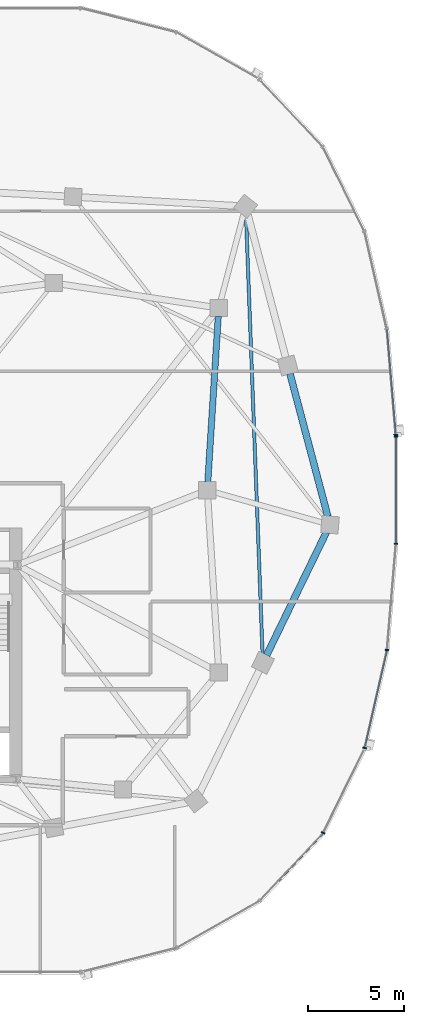
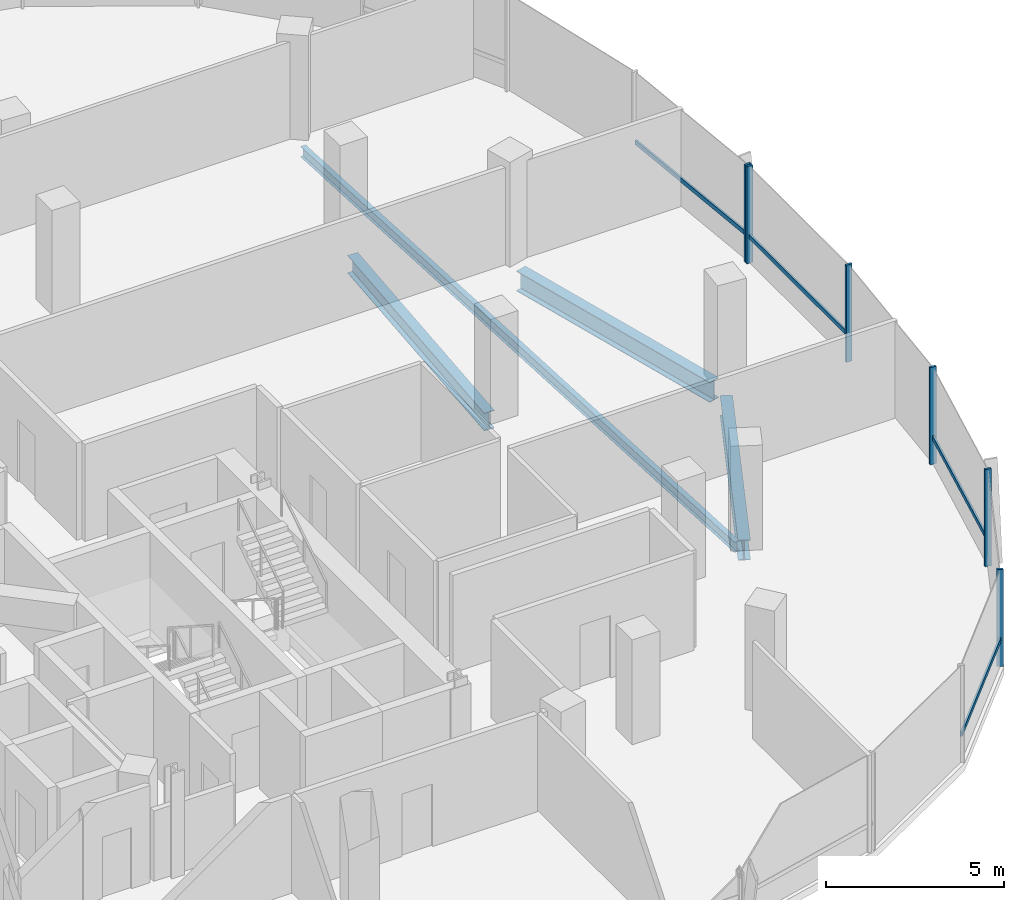
# One storey, part 10 of 25: 10 members, 4 beams, 2 elements without a shape of their own.
"""IFC4 building model written with IfcOpenShell, lengths in metres."""

from ifc_helpers import new_model, si_unit, direction, frame, origin, origin_2d, place, context, subcontext, project, spatial, rectangle, i_section, extrude, material, material_profile, profile_set, type_object, element, aggregate, save


model = new_model("IFC4")

# Units and contexts
model_context = context("Model", 3, precision=1e-05, world=origin(), true_north=direction((0.0, 1.0)))
body_context = subcontext(model_context, "Body", "Model", "MODEL_VIEW")
ifc_project = project(units=[si_unit("LENGTHUNIT", "METRE"), si_unit("AREAUNIT", "SQUARE_METRE"), si_unit("VOLUMEUNIT", "CUBIC_METRE"), si_unit("PLANEANGLEUNIT", "RADIAN"), si_unit("MASSUNIT", "GRAM", prefix="KILO"), si_unit("THERMODYNAMICTEMPERATUREUNIT", "KELVIN"), si_unit("POWERUNIT", "WATT")], contexts=[model_context])

# Site, building, storey
site_placement = place(None, origin())
site = spatial("IfcSite", under=ifc_project, at=site_placement, CompositionType="ELEMENT")
building_placement = place(site_placement, origin())
building = spatial("IfcBuilding", under=site, at=building_placement, Name="Cundina Bronze Exchange", CompositionType="ELEMENT")
storey_placement = place(building_placement, frame((0.0, 0.0, 220.60009765625)))
storey = spatial("IfcBuildingStorey", under=building, at=storey_placement, Name="L58", CompositionType="ELEMENT", Elevation=220.60009765625)

# Beams
ifc_material_1 = material(Name="Steel ASTM A992 Grade 50", Category="steel")
ifc_material_profile_1 = material_profile(ifc_material_1, i_section(OverallWidth=0.172119140625, OverallDepth=0.35791015625, WebThickness=0.0078125, FlangeThickness=0.01318359375, FilletRadius=0.010009765625, at=origin_2d()), Name="W14X38", Category="steel")
ifc_profile_set_1 = profile_set([ifc_material_profile_1], Name="Steel ASTM A992 Grade 50")
beam_type_1 = type_object("IfcBeamType", Name="BM-JST-W14", PredefinedType="JOIST", material=ifc_profile_set_1)
beam_1_placement = place(storey_placement, frame((44.08349609375, -8.562255859375, -0.439208984375), z_axis=(-0.037790216102, 0.999285694667, 0.0), x_axis=(-0.999285694667, -0.037790216102, 0.0)))
element("IfcBeam", 1, at=beam_1_placement, inside=storey, type_object=beam_type_1, Name="L58 Leg E Lobe Floor Joist 07-10", PredefinedType="JOIST", context=body_context, shape_type="SweptSolid", body=[
    extrude(i_section(OverallWidth=0.172119140625, OverallDepth=0.35791015625, WebThickness=0.0078125, FlangeThickness=0.01318359375, FilletRadius=0.010009765625, at=origin_2d()), origin(), (0.0, 0.0, 1.0), 22.94091796875),
])
ifc_material_profile_2 = material_profile(ifc_material_1, i_section(OverallWidth=0.324951171875, OverallDepth=0.615966796875, WebThickness=0.013916015625, FlangeThickness=0.021484375, FilletRadius=0.01611328125, at=origin_2d()), Name="W24X117", Category="steel")
ifc_profile_set_2 = profile_set([ifc_material_profile_2], Name="Steel ASTM A992 Grade 50")
beam_type_2 = type_object("IfcBeamType", Name="BM-RING-W24", PredefinedType="USERDEFINED", material=ifc_profile_set_2)
beam_2_placement = place(storey_placement, frame((41.2275390625, 0.43701171875, -0.568115234375), z_axis=(0.063046519736, 0.998010589297, 0.0), x_axis=(-0.998010589297, 0.063046519736, 0.0)))
element("IfcBeam", 2, at=beam_2_placement, inside=storey, type_object=beam_type_2, Name="L58 E Inner Structural Ring Girder 04", ObjectType="GIRDER", PredefinedType="USERDEFINED", context=body_context, shape_type="SweptSolid", body=[
    extrude(i_section(OverallWidth=0.324951171875, OverallDepth=0.615966796875, WebThickness=0.013916015625, FlangeThickness=0.021484375, FilletRadius=0.01611328125, at=origin_2d()), origin(), (0.0, 0.0, 1.0), 8.64306640625),
])
ifc_material_profile_3 = material_profile(ifc_material_1, i_section(OverallWidth=0.35498046875, OverallDepth=0.695068359375, WebThickness=0.015380859375, FlangeThickness=0.02490234375, FilletRadius=0.01806640625, at=origin_2d()), Name="W27X146", Category="steel")
ifc_profile_set_3 = profile_set([ifc_material_profile_3], Name="Steel ASTM A992 Grade 50")
beam_type_3 = type_object("IfcBeamType", Name="BM-RING-W27", PredefinedType="USERDEFINED", material=ifc_profile_set_3)
beam_3_placement = place(storey_placement, frame((44.29150390625, -8.606201171875, -0.607666015625), z_axis=(0.437173087764, 0.89937739094, 0.0), x_axis=(-0.89937739094, 0.437173087764, 0.0)))
element("IfcBeam", 3, at=beam_3_placement, inside=storey, type_object=beam_type_3, Name="L58 E Perimeter Ring Girder 07", ObjectType="GIRDER", PredefinedType="USERDEFINED", context=body_context, shape_type="SweptSolid", body=[
    extrude(i_section(OverallWidth=0.35498046875, OverallDepth=0.695068359375, WebThickness=0.015380859375, FlangeThickness=0.02490234375, FilletRadius=0.01806640625, at=origin_2d()), origin(), (0.0, 0.0, 1.0), 7.1298828125),
])
beam_4_placement = place(storey_placement, frame((47.48779296875, -1.376708984375, -0.607666015625), z_axis=(-0.256211934474, 0.966620631185, 0.0), x_axis=(-0.966620631185, -0.256211934474, 0.0)))
element("IfcBeam", 4, at=beam_4_placement, inside=storey, type_object=beam_type_3, Name="L58 E Perimeter Ring Girder 08", ObjectType="GIRDER", PredefinedType="USERDEFINED", context=body_context, shape_type="SweptSolid", body=[
    extrude(i_section(OverallWidth=0.35498046875, OverallDepth=0.695068359375, WebThickness=0.015380859375, FlangeThickness=0.02490234375, FilletRadius=0.01806640625, at=origin_2d()), origin(), (0.0, 0.0, 1.0), 7.710693359375),
])

# Curtain wall, member
ifc_material_2 = material(Name="Anodised Bronze Aluminium 6063-T6", Category="aluminium")
curtain_wall_type = type_object("IfcCurtainWallType", Name="CWS-UPP-OFF", PredefinedType="NOTDEFINED", material=ifc_material_2)
curtain_wall_1_placement = place(storey_placement, origin())
curtain_wall_1 = element("IfcCurtainWall", 5, at=curtain_wall_1_placement, inside=storey, type_object=curtain_wall_type, Name="L58 CW-05 Curtain Wall Run CWR-L58-E1", PredefinedType="NOTDEFINED")
ifc_material_profile_4 = material_profile(ifc_material_2, rectangle(XDim=0.070068359375, YDim=0.18994140625, at=origin_2d()), Name="AL70X190", Category="aluminium")
ifc_profile_set_4 = profile_set([ifc_material_profile_4], Name="Anodised Bronze Aluminium 6063-T6")
member_type_1 = type_object("IfcMemberType", Name="CWM-MUL-190", PredefinedType="MULLION", material=ifc_profile_set_4)
member_1_placement = place(storey_placement, frame((51.0302734375, 2.88330078125, 0.0), z_axis=(0.0, 0.0, 1.0), x_axis=(-0.083677843332, 0.99649285925, 0.0)))
member_1 = element("IfcMember", 6, at=member_1_placement, type_object=member_type_1, Name="CW-05 Mullion 1", PredefinedType="MULLION", context=body_context, shape_type="SweptSolid", body=[
    extrude(rectangle(XDim=0.070068359375, YDim=0.18994140625, at=origin_2d()), origin(), (0.0, 0.0, 1.0), 3.33984375),
])

# Curtain wall, members
curtain_wall_2_placement = place(storey_placement, origin())
curtain_wall_2 = element("IfcCurtainWall", 7, at=curtain_wall_2_placement, inside=storey, type_object=curtain_wall_type, Name="L58 CW-05 Curtain Wall Run CWR-L58-E4", PredefinedType="NOTDEFINED")
member_2_placement = place(storey_placement, frame((47.245361328125, -17.866455078125, 0.0), z_axis=(0.0, 0.0, 1.0), x_axis=(0.440566004113, 0.897720221461, 0.0)))
member_2 = element("IfcMember", 8, at=member_2_placement, type_object=member_type_1, Name="CW-05 Mullion 4", PredefinedType="MULLION", context=body_context, shape_type="SweptSolid", body=[
    extrude(rectangle(XDim=0.070068359375, YDim=0.18994140625, at=origin_2d()), origin(), (0.0, 0.0, 1.0), 3.33984375),
])
member_3_placement = place(storey_placement, frame((49.40771484375, -13.440673828125, 0.0), z_axis=(0.0, 0.0, 1.0), x_axis=(0.223250116011, 0.974761194191, 0.0)))
member_3 = element("IfcMember", 9, at=member_3_placement, type_object=member_type_1, Name="CW-05 Mullion 5", PredefinedType="MULLION", context=body_context, shape_type="SweptSolid", body=[
    extrude(rectangle(XDim=0.070068359375, YDim=0.18994140625, at=origin_2d()), origin(), (0.0, 0.0, 1.0), 3.33984375),
])
member_4_placement = place(storey_placement, frame((50.572509765625, -8.33056640625, 0.0), z_axis=(0.0, 0.0, 1.0), x_axis=(0.083677843332, 0.99649285925, 0.0)))
member_4 = element("IfcMember", 10, at=member_4_placement, type_object=member_type_1, Name="CW-05 Mullion 6", PredefinedType="MULLION", context=body_context, shape_type="SweptSolid", body=[
    extrude(rectangle(XDim=0.070068359375, YDim=0.18994140625, at=origin_2d()), origin(), (0.0, 0.0, 1.0), 3.33984375),
])
member_5_placement = place(storey_placement, frame((51.033935546875, -2.794921875, 0.0), z_axis=(0.0, 0.0, 1.0), x_axis=(0.0, 1.0, 0.0)))
member_5 = element("IfcMember", 11, at=member_5_placement, type_object=member_type_1, Name="CW-05 Mullion 7", PredefinedType="MULLION", context=body_context, shape_type="SweptSolid", body=[
    extrude(rectangle(XDim=0.070068359375, YDim=0.18994140625, at=origin_2d()), origin(), (0.0, 0.0, 1.0), 3.33984375),
])
member_6_placement = place(storey_placement, frame((51.033935546875, 2.794921875, 0.0), z_axis=(0.0, 0.0, 1.0), x_axis=(0.0, 1.0, 0.0)))
member_6 = element("IfcMember", 12, at=member_6_placement, type_object=member_type_1, Name="CW-05 End Mullion", PredefinedType="MULLION", context=body_context, shape_type="SweptSolid", body=[
    extrude(rectangle(XDim=0.070068359375, YDim=0.18994140625, at=origin_2d()), origin(), (0.0, 0.0, 1.0), 3.33984375),
])

# Member
ifc_material_profile_5 = material_profile(ifc_material_2, rectangle(XDim=0.06494140625, YDim=0.14990234375, at=origin_2d()), Name="AL65X150", Category="aluminium")
ifc_profile_set_5 = profile_set([ifc_material_profile_5], Name="Anodised Bronze Aluminium 6063-T6")
member_type_2 = type_object("IfcMemberType", Name="CWM-TRN-150", PredefinedType="USERDEFINED", material=ifc_profile_set_5)
member_7_placement = place(storey_placement, frame((51.027099609375, 2.921630859375, 0.919921875), z_axis=(-0.083740331158, 0.996487610027, 0.0), x_axis=(-0.996487610027, -0.083740331158, 0.0)))
member_7 = element("IfcMember", 13, at=member_7_placement, type_object=member_type_2, Name="CW-05 Spandrel Transom 1", ObjectType="TRANSOM", PredefinedType="USERDEFINED", context=body_context, shape_type="SweptSolid", body=[
    extrude(rectangle(XDim=0.06494140625, YDim=0.14990234375, at=origin_2d()), origin(), (0.0, 0.0, 1.0), 5.466552734375),
])

aggregate(curtain_wall_1, [member_1, member_7])

member_8_placement = place(storey_placement, frame((43.97509765625, -21.364501953125, 0.919921875), z_axis=(0.684336416554, 0.729166420633, 0.0), x_axis=(-0.729166420633, 0.684336416554, 0.0)))
member_8 = element("IfcMember", 14, at=member_8_placement, type_object=member_type_2, Name="CW-05 Spandrel Transom 3", ObjectType="TRANSOM", PredefinedType="USERDEFINED", context=body_context, shape_type="SweptSolid", body=[
    extrude(rectangle(XDim=0.06494140625, YDim=0.14990234375, at=origin_2d()), origin(), (0.0, 0.0, 1.0), 4.76513671875),
])

member_9_placement = place(storey_placement, frame((49.41650390625, -13.403076171875, 0.919921875), z_axis=(0.22328343579, 0.974753562344, 0.0), x_axis=(-0.974753562344, 0.22328343579, 0.0)))
member_9 = element("IfcMember", 15, at=member_9_placement, type_object=member_type_2, Name="CW-05 Spandrel Transom 5", ObjectType="TRANSOM", PredefinedType="USERDEFINED", context=body_context, shape_type="SweptSolid", body=[
    extrude(rectangle(XDim=0.06494140625, YDim=0.14990234375, at=origin_2d()), origin(), (0.0, 0.0, 1.0), 5.159912109375),
])

member_10_placement = place(storey_placement, frame((51.033935546875, -2.756591796875, 0.919921875), z_axis=(0.0, 1.0, 0.0), x_axis=(-1.0, 0.0, 0.0)))
member_10 = element("IfcMember", 16, at=member_10_placement, type_object=member_type_2, Name="CW-05 Spandrel Transom 7", ObjectType="TRANSOM", PredefinedType="USERDEFINED", context=body_context, shape_type="SweptSolid", body=[
    extrude(rectangle(XDim=0.06494140625, YDim=0.14990234375, at=origin_2d()), origin(), (0.0, 0.0, 1.0), 5.51318359375),
])

aggregate(curtain_wall_2, [member_8, member_2, member_3, member_9, member_4, member_5, member_6, member_10])

save(model, "model.ifc")
